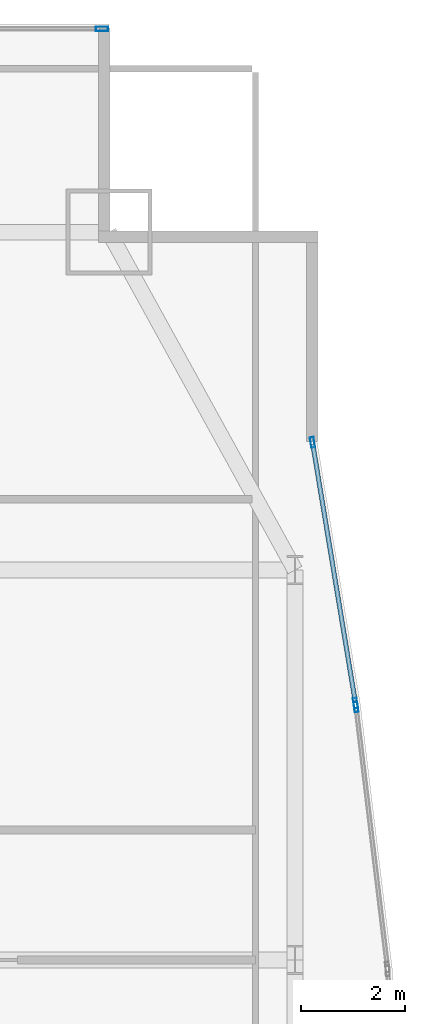
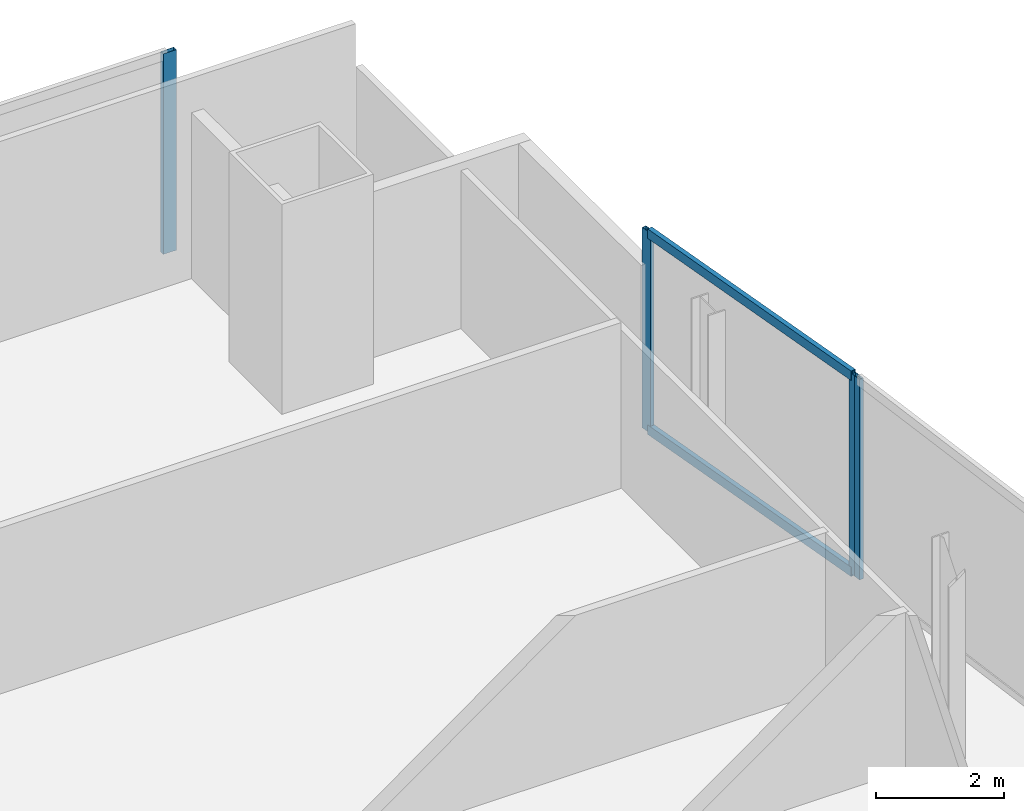
# One storey, part 24 of 32: 6 members, 3 elements without a shape of their own.
"""IFC4 building model written with IfcOpenShell, lengths in metres."""

from ifc_helpers import new_model, si_unit, direction, frame, origin, origin_2d, place, context, subcontext, project, spatial, hollow_rectangle, extrude, material, material_profile, profile_set, type_object, element, aggregate, save


model = new_model("IFC4")

# Units and contexts
model_context = context("Model", 3, precision=1e-05, world=origin(), true_north=direction((0.0, 1.0)))
body_context = subcontext(model_context, "Body", "Model", "MODEL_VIEW")
ifc_project = project(units=[si_unit("LENGTHUNIT", "METRE"), si_unit("AREAUNIT", "SQUARE_METRE"), si_unit("VOLUMEUNIT", "CUBIC_METRE"), si_unit("PLANEANGLEUNIT", "RADIAN"), si_unit("MASSUNIT", "GRAM", prefix="KILO")], contexts=[model_context])

# Site, building, storey
site_placement = place(None, origin())
site = spatial("IfcSite", under=ifc_project, at=site_placement, CompositionType="ELEMENT")
building_placement = place(site_placement, origin())
building = spatial("IfcBuilding", under=site, at=building_placement, Name="Khoronbel Lancet Exchange", CompositionType="ELEMENT")
storey_placement = place(building_placement, frame((0.0, 0.0, 65.800048828125)))
storey = spatial("IfcBuildingStorey", under=building, at=storey_placement, Name="L15", CompositionType="ELEMENT", Elevation=65.800048828125)

# Curtain wall, member
ifc_material_1 = material(Name="Low-E Solar Control Insulating Glass", Category="glass")
curtain_wall_type_1 = type_object("IfcCurtainWallType", Name="CW-1", PredefinedType="NOTDEFINED", material=ifc_material_1)
curtain_wall_1_placement = place(storey_placement, origin())
curtain_wall_1 = element("IfcCurtainWall", 1, at=curtain_wall_1_placement, inside=storey, type_object=curtain_wall_type_1, Name="Unitised curtain wall CW-L15-NEFLK", PredefinedType="NOTDEFINED")
ifc_material_2 = material(Name="Bronze-Anodised Aluminium 6063-T6", Category="aluminium")
ifc_material_profile_1 = material_profile(ifc_material_2, hollow_rectangle(XDim=0.0849609375, YDim=0.239990234375, WallThickness=0.006103515625, at=origin_2d()), Name="ALU MULLION 85x240")
ifc_profile_set_1 = profile_set([ifc_material_profile_1], Name="Bronze-Anodised Aluminium 6063-T6")
member_type_1 = type_object("IfcMemberType", Name="MEM-CWM1", PredefinedType="MULLION", material=ifc_profile_set_1)
member_1_placement = place(storey_placement, frame((67.91748046875, 53.610107421875, 0.0), z_axis=(0.0, 0.0, 1.0), x_axis=(0.0, -1.0, 0.0)))
member_1 = element("IfcMember", 2, at=member_1_placement, type_object=member_type_1, Name="CW1 mullion 1", PredefinedType="MULLION", context=body_context, shape_type="SweptSolid", body=[
    extrude(hollow_rectangle(XDim=0.0849609375, YDim=0.239990234375, WallThickness=0.006103515625, at=origin_2d()), origin(), (0.0, 0.0, 1.0), 3.820068359375),
])
aggregate(curtain_wall_1, [member_1])

# Curtain wall, members
curtain_wall_type_2 = type_object("IfcCurtainWallType", Name="CW-4", PredefinedType="NOTDEFINED", material=ifc_material_1)
curtain_wall_2_placement = place(storey_placement, origin())
curtain_wall_2 = element("IfcCurtainWall", 3, at=curtain_wall_2_placement, inside=storey, type_object=curtain_wall_type_2, Name="Unitised curtain wall CW-L15-E17", PredefinedType="NOTDEFINED")
ifc_material_profile_2 = material_profile(ifc_material_2, hollow_rectangle(XDim=0.074951171875, YDim=0.199951171875, WallThickness=0.0048828125, at=origin_2d()), Name="ALU MULLION 75x200")
ifc_profile_set_2 = profile_set([ifc_material_profile_2], Name="Bronze-Anodised Aluminium 6063-T6")
member_type_2 = type_object("IfcMemberType", Name="MEM-CWM2", PredefinedType="MULLION", material=ifc_profile_set_2)
member_2_placement = place(storey_placement, frame((71.966064453125, 45.655517578125, 0.0), z_axis=(0.0, 0.0, 1.0), x_axis=(0.986681675242, 0.162663062008, 0.0)))
member_2 = element("IfcMember", 4, at=member_2_placement, type_object=member_type_2, Name="CW4 mullion 1", PredefinedType="MULLION", context=body_context, shape_type="SweptSolid", body=[
    extrude(hollow_rectangle(XDim=0.074951171875, YDim=0.199951171875, WallThickness=0.0048828125, at=origin_2d()), origin(), (0.0, 0.0, 1.0), 3.820068359375),
])
member_3_placement = place(storey_placement, frame((72.792724609375, 40.64111328125, 0.0), z_axis=(0.0, 0.0, 1.0), x_axis=(0.986681675242, 0.162663062008, 0.0)))
member_3 = element("IfcMember", 5, at=member_3_placement, type_object=member_type_2, Name="CW4 mullion 2", PredefinedType="MULLION", context=body_context, shape_type="SweptSolid", body=[
    extrude(hollow_rectangle(XDim=0.074951171875, YDim=0.199951171875, WallThickness=0.0048828125, at=origin_2d()), origin(), (0.0, 0.0, 1.0), 3.820068359375),
])

# Curtain wall, member
curtain_wall_3_placement = place(storey_placement, origin())
curtain_wall_3 = element("IfcCurtainWall", 6, at=curtain_wall_3_placement, inside=storey, type_object=curtain_wall_type_2, Name="Unitised curtain wall CW-L15-E18", PredefinedType="NOTDEFINED")
member_4_placement = place(storey_placement, frame((72.803466796875, 40.566650390625, 0.0), z_axis=(0.0, 0.0, 1.0), x_axis=(0.992797337114, 0.119805873895, 0.0)))
member_4 = element("IfcMember", 7, at=member_4_placement, type_object=member_type_2, Name="CW4 mullion 1", PredefinedType="MULLION", context=body_context, shape_type="SweptSolid", body=[
    extrude(hollow_rectangle(XDim=0.074951171875, YDim=0.199951171875, WallThickness=0.0048828125, at=origin_2d()), origin(), (0.0, 0.0, 1.0), 3.820068359375),
])
aggregate(curtain_wall_3, [member_4])

# Member
ifc_material_profile_3 = material_profile(ifc_material_2, hollow_rectangle(XDim=0.0849609375, YDim=0.179931640625, WallThickness=0.0048828125, at=origin_2d()), Name="ALU TRANSOM 85x180")
ifc_profile_set_3 = profile_set([ifc_material_profile_3], Name="Bronze-Anodised Aluminium 6063-T6")
member_type_3 = type_object("IfcMemberType", Name="MEM-CWT1", PredefinedType="USERDEFINED", material=ifc_profile_set_3)
member_5_placement = place(storey_placement, frame((71.97216796875, 45.61865234375, 0.04248046875), z_axis=(0.162651404826, -0.986683596959, 0.0), x_axis=(0.986683596959, 0.162651404826, 0.0)))
member_5 = element("IfcMember", 8, at=member_5_placement, type_object=member_type_3, Name="CW4 transom 1.1", ObjectType="TRANSOM", PredefinedType="USERDEFINED", context=body_context, shape_type="SweptSolid", body=[
    extrude(hollow_rectangle(XDim=0.0849609375, YDim=0.179931640625, WallThickness=0.0048828125, at=origin_2d()), origin(), (0.0, 0.0, 1.0), 5.00732421875),
])

member_6_placement = place(storey_placement, frame((71.97216796875, 45.61865234375, 3.77734375), z_axis=(0.162651404826, -0.986683596959, 0.0), x_axis=(0.986683596959, 0.162651404826, 0.0)))
member_6 = element("IfcMember", 9, at=member_6_placement, type_object=member_type_3, Name="CW4 transom 1.2", ObjectType="TRANSOM", PredefinedType="USERDEFINED", context=body_context, shape_type="SweptSolid", body=[
    extrude(hollow_rectangle(XDim=0.0849609375, YDim=0.179931640625, WallThickness=0.0048828125, at=origin_2d()), origin(), (0.0, 0.0, 1.0), 5.00732421875),
])

aggregate(curtain_wall_2, [member_2, member_3, member_5, member_6])

save(model, "model.ifc")
